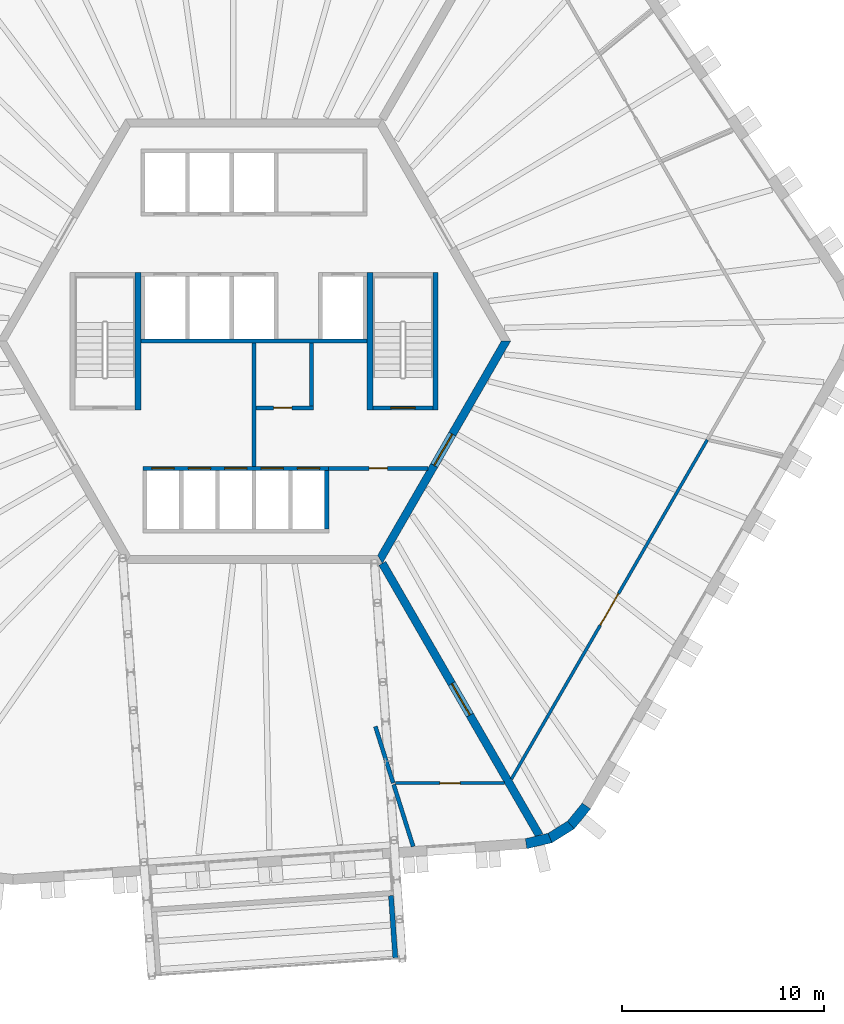
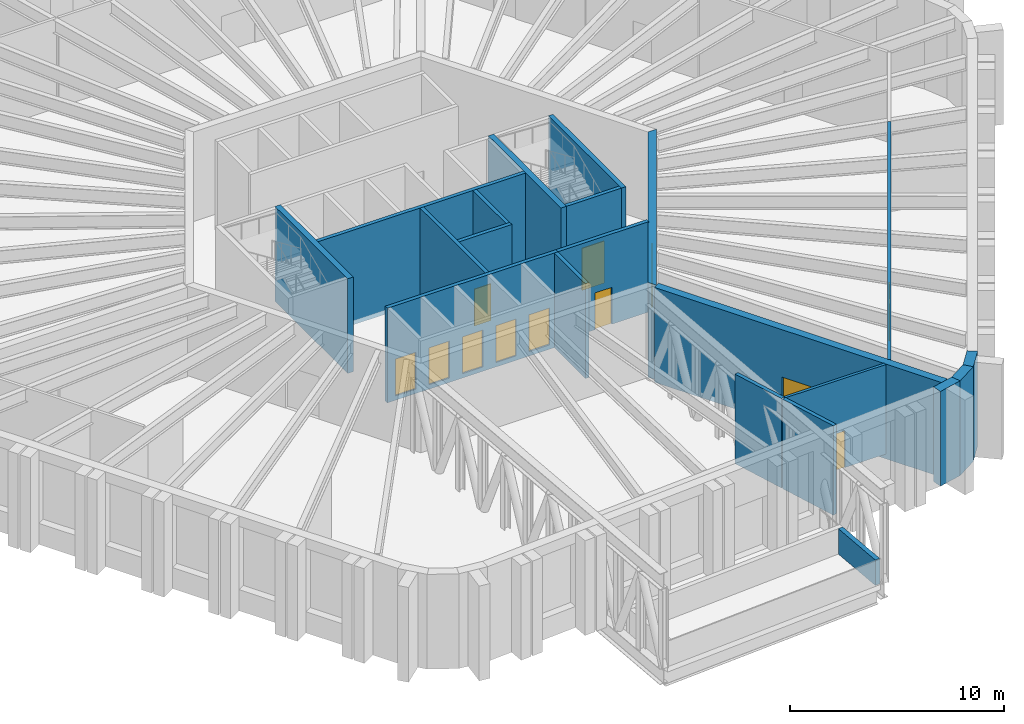
# One storey, part 4 of 9: 21 walls, 12 doors, 12 openings.
"""IFC4 building model written with IfcOpenShell, lengths in metres."""

from ifc_helpers import new_model, si_unit, direction, frame, frame_2d, origin, place, context, subcontext, project, spatial, polyline, rectangle, outline, extrude, material, layer, layer_set, type_object, element, fill, save


model = new_model("IFC4")

# Units and contexts
model_context = context("Model", 3, precision=1e-05, world=origin(), true_north=direction((0.0, 1.0)))
body_context = subcontext(model_context, "Body", "Model", "MODEL_VIEW")
ifc_project = project(units=[si_unit("LENGTHUNIT", "METRE"), si_unit("AREAUNIT", "SQUARE_METRE"), si_unit("VOLUMEUNIT", "CUBIC_METRE"), si_unit("PLANEANGLEUNIT", "RADIAN"), si_unit("MASSUNIT", "GRAM", prefix="KILO")], contexts=[model_context])

# Site, building, storey
site_placement = place(None, origin())
site = spatial("IfcSite", under=ifc_project, at=site_placement, CompositionType="ELEMENT")
building_placement = place(site_placement, origin())
building = spatial("IfcBuilding", under=site, at=building_placement, Name="Tarnside Tower", CompositionType="ELEMENT")
storey_placement = place(building_placement, frame((0.0, 0.0, 338.10009765625)))
storey = spatial("IfcBuildingStorey", under=building, at=storey_placement, Name="L82", CompositionType="ELEMENT", Elevation=338.10009765625)

# Wall, opening, door
ifc_material_1 = material(Name="Concrete C40/50", Category="concrete")
ifc_layer_1 = layer(ifc_material_1, 0.199951171875)
ifc_layer_set_1 = layer_set([ifc_layer_1], Name="Core room partition 200 C40/50")
wall_type_1 = type_object("IfcWallType", Name="Core room partition 200 C40/50", PredefinedType="PARTITIONING", material=ifc_layer_set_1)
wall_1_placement = place(storey_placement, frame((0.10009765625, -3.300048828125, 0.0), z_axis=(0.0, 0.0, 1.0), x_axis=(1.0, 0.0, 0.0)))
wall_1 = element("IfcWall", 1, at=wall_1_placement, inside=storey, type_object=wall_type_1, Name="L82 core partition R3S1", PredefinedType="PARTITIONING", context=body_context, shape_type="SweptSolid", body=[
    extrude(rectangle(XDim=2.849853515625, YDim=0.199951171875, at=frame_2d((1.4248046875, 0.0))), origin(), (0.0, 0.0, 1.0), 5.14990234375),
])
opening_1_placement = place(wall_1_placement, frame((0.875, 0.0, 0.0)))
opening_1 = element("IfcOpeningElement", 2, at=opening_1_placement, cuts=wall_1, Name="Opening CD-room", PredefinedType="OPENING", context=body_context, shape_type="SweptSolid", body=[
    extrude(rectangle(XDim=0.89990234375, YDim=2.10009765625, at=frame_2d((0.449951171875, 1.050048828125))), frame((0.0, 0.10986328125, 0.0), z_axis=(0.0, -1.0, 0.0), x_axis=(1.0, 0.0, 0.0)), (0.0, 0.0, 1.0), 0.219970703125),
])
ifc_material_2 = material(Name="Steel fire door", Category="steel")
door_type_1 = type_object("IfcDoorType", Name="Room door FD60 900x2100", OperationType="NOTDEFINED", PredefinedType="DOOR", material=ifc_material_2)
door_1_placement = place(opening_1_placement, origin())
door_1 = element("IfcDoor", 3, at=door_1_placement, inside=storey, type_object=door_type_1, Name="L82 core room door SR1", OperationType="SINGLE_SWING_LEFT", OverallHeight=2.10009765625, OverallWidth=0.89990234375, PredefinedType="DOOR", context=body_context, shape_type="SweptSolid", body=[
    extrude(rectangle(XDim=0.89990234375, YDim=2.10009765625, at=frame_2d((0.449951171875, 1.050048828125))), frame((0.0, 0.02490234375, 0.0), z_axis=(0.0, -1.0, 0.0), x_axis=(1.0, 0.0, 0.0)), (0.0, 0.0, 1.0), 0.050048828125),
])
fill(opening_1, door_1)

# Walls
wall_2_placement = place(storey_placement, frame((2.85009765625, -3.199951171875, 0.0), z_axis=(0.0, 0.0, 1.0), x_axis=(0.0, 1.0, 0.0)))
element("IfcWall", 4, at=wall_2_placement, inside=storey, type_object=wall_type_1, Name="L82 core partition R3P1b", PredefinedType="PARTITIONING", context=body_context, shape_type="SweptSolid", body=[
    extrude(rectangle(XDim=3.099853515625, YDim=0.199951171875, at=frame_2d((1.5498046875, 0.0))), origin(), (0.0, 0.0, 1.0), 5.14990234375),
])
wall_3_placement = place(storey_placement, frame((0.0, -6.199951171875, 0.0), z_axis=(0.0, 0.0, 1.0), x_axis=(0.0, 1.0, 0.0)))
element("IfcWall", 5, at=wall_3_placement, inside=storey, type_object=wall_type_1, Name="L82 core partition X0", PredefinedType="PARTITIONING", context=body_context, shape_type="SweptSolid", body=[
    extrude(rectangle(XDim=6.099853515625, YDim=0.199951171875, at=frame_2d((3.0498046875, 0.0))), origin(), (0.0, 0.0, 1.0), 5.14990234375),
])

# Wall, opening, door
wall_4_placement = place(storey_placement, frame((3.699951171875, -6.300048828125, 0.0), z_axis=(0.0, 0.0, 1.0), x_axis=(1.0, 0.0, 0.0)))
wall_4 = element("IfcWall", 6, at=wall_4_placement, inside=storey, type_object=wall_type_1, Name="L82 core partition R4X", PredefinedType="PARTITIONING", context=body_context, shape_type="SweptSolid", body=[
    extrude(rectangle(XDim=4.902587890625, YDim=0.199951171875, at=frame_2d((2.451171875, 0.0))), origin(), (0.0, 0.0, 1.0), 5.14990234375),
])
opening_2_placement = place(wall_4_placement, frame((2.001220703125, 0.0, 0.0)))
opening_2 = element("IfcOpeningElement", 7, at=opening_2_placement, cuts=wall_4, Name="Opening CD-room", PredefinedType="OPENING", context=body_context, shape_type="SweptSolid", body=[
    extrude(rectangle(XDim=0.89990234375, YDim=2.10009765625, at=frame_2d((0.449951171875, 1.050048828125))), frame((0.0, 0.10986328125, 0.0), z_axis=(0.0, -1.0, 0.0), x_axis=(1.0, 0.0, 0.0)), (0.0, 0.0, 1.0), 0.219970703125),
])
door_2_placement = place(opening_2_placement, origin())
door_2 = element("IfcDoor", 8, at=door_2_placement, inside=storey, type_object=door_type_1, Name="L82 core room door RX", OperationType="SINGLE_SWING_LEFT", OverallHeight=2.10009765625, OverallWidth=0.89990234375, PredefinedType="DOOR", context=body_context, shape_type="SweptSolid", body=[
    extrude(rectangle(XDim=0.89990234375, YDim=2.10009765625, at=frame_2d((0.449951171875, 1.050048828125))), frame((0.0, 0.02490234375, 0.0), z_axis=(0.0, -1.0, 0.0), x_axis=(1.0, 0.0, 0.0)), (0.0, 0.0, 1.0), 0.050048828125),
])
fill(opening_2, door_2)

ifc_material_3 = material(Name="Concrete C60/75", Category="concrete")
ifc_layer_2 = layer(ifc_material_3, 0.39990234375)
ifc_layer_set_2 = layer_set([ifc_layer_2], Name="Core wall Z3 400 C60/75")
wall_type_2 = type_object("IfcWallType", Name="Core wall Z3 400 C60/75", PredefinedType="SHEAR", material=ifc_layer_set_2)
wall_5_placement = place(storey_placement, frame((6.2353515625, -10.800048828125, -0.300048828125), z_axis=(0.0, 0.0, 1.0), x_axis=(0.499996419489, 0.866027470984, 0.0)))
wall_5 = element("IfcWall", 9, at=wall_5_placement, inside=storey, type_object=wall_type_2, Name="L82 core wall face 5", PredefinedType="SHEAR", context=body_context, shape_type="SweptSolid", body=[
    extrude(outline(polyline([(-0.115478515625, -0.199951171875), (12.586181640625, -0.199951171875), (12.355224609375, 0.199951171875), (0.115478515625, 0.199951171875), (-0.115478515625, -0.199951171875)])), origin(), (0.0, 0.0, 1.0), 5.39990234375),
])
opening_3_placement = place(wall_5_placement, frame((5.3642578125, 0.0, 0.300048828125)))
opening_3 = element("IfcOpeningElement", 10, at=opening_3_placement, cuts=wall_5, Name="Opening CD-FFL", PredefinedType="OPENING", context=body_context, shape_type="SweptSolid", body=[
    extrude(rectangle(XDim=1.800048828125, YDim=2.39990234375, at=frame_2d((0.89990234375, 1.199951171875))), frame((0.0, 0.2099609375, 0.0), z_axis=(0.0, -1.0, 0.0), x_axis=(1.0, 0.0, 0.0)), (0.0, 0.0, 1.0), 0.419921875),
])
door_type_2 = type_object("IfcDoorType", Name="Firefighting lobby double door FD60S 1800x2400", OperationType="NOTDEFINED", PredefinedType="DOOR", material=ifc_material_2)
door_3_placement = place(opening_3_placement, origin())
door_3 = element("IfcDoor", 11, at=door_3_placement, inside=storey, type_object=door_type_2, Name="L82 core door P4", OperationType="DOUBLE_DOOR_SINGLE_SWING", OverallHeight=2.39990234375, OverallWidth=1.800048828125, PredefinedType="DOOR", context=body_context, shape_type="SweptSolid", body=[
    extrude(rectangle(XDim=1.800048828125, YDim=2.39990234375, at=frame_2d((0.89990234375, 1.199951171875))), frame((0.0, 0.02490234375, 0.0), z_axis=(0.0, -1.0, 0.0), x_axis=(1.0, 0.0, 0.0)), (0.0, 0.0, 1.0), 0.050048828125),
])
fill(opening_3, door_3)

wall_6_placement = place(storey_placement, frame((6.350830078125, -11.0, -0.300048828125), z_axis=(0.0, 0.0, 1.0), x_axis=(0.499998894578, -0.866026041999, 0.0)))
wall_6 = element("IfcWall", 12, at=wall_6_placement, inside=storey, type_object=wall_type_2, Name="L82 spine wall 3", PredefinedType="SHEAR", context=body_context, shape_type="SweptSolid", body=[
    extrude(rectangle(XDim=15.54443359375, YDim=0.39990234375, at=frame_2d((7.772216796875, 0.0))), origin(), (0.0, 0.0, 1.0), 5.39990234375),
])
opening_4_placement = place(wall_6_placement, frame((6.872314453125, 0.0, 0.300048828125)))
opening_4 = element("IfcOpeningElement", 13, at=opening_4_placement, cuts=wall_6, Name="Opening CD-SPN", PredefinedType="OPENING", context=body_context, shape_type="SweptSolid", body=[
    extrude(rectangle(XDim=1.800048828125, YDim=2.39990234375, at=frame_2d((0.89990234375, 1.199951171875))), frame((0.0, 0.2099609375, 0.0), z_axis=(0.0, -1.0, 0.0), x_axis=(1.0, 0.0, 0.0)), (0.0, 0.0, 1.0), 0.419921875),
])
door_type_3 = type_object("IfcDoorType", Name="Spine passage double door FD60 1800x2400", OperationType="NOTDEFINED", PredefinedType="DOOR", material=ifc_material_2)
door_4_placement = place(opening_4_placement, origin())
door_4 = element("IfcDoor", 14, at=door_4_placement, inside=storey, type_object=door_type_3, Name="L82 spine passage door 3", OperationType="DOUBLE_DOOR_SINGLE_SWING", OverallHeight=2.39990234375, OverallWidth=1.800048828125, PredefinedType="DOOR", context=body_context, shape_type="SweptSolid", body=[
    extrude(rectangle(XDim=1.800048828125, YDim=2.39990234375, at=frame_2d((0.89990234375, 1.199951171875))), frame((0.0, 0.02490234375, 0.0), z_axis=(0.0, -1.0, 0.0), x_axis=(1.0, 0.0, 0.0)), (0.0, 0.0, 1.0), 0.050048828125),
])
fill(opening_4, door_4)

# Wall
ifc_layer_3 = layer(ifc_material_1, 0.199951171875)
ifc_layer_set_3 = layer_set([ifc_layer_3], Name="Lift shaft wall 200 C40/50")
wall_type_3 = type_object("IfcWallType", Name="Lift shaft wall 200 C40/50", PredefinedType="SHEAR", material=ifc_layer_set_3)
wall_7_placement = place(storey_placement, frame((-5.60009765625, 0.0, -0.25), z_axis=(0.0, 0.0, 1.0), x_axis=(1.0, 0.0, 0.0)))
element("IfcWall", 15, at=wall_7_placement, inside=storey, type_object=wall_type_3, Name="L82 lift shaft back wall R2", PredefinedType="SHEAR", context=body_context, shape_type="SweptSolid", body=[
    extrude(rectangle(XDim=11.2001953125, YDim=0.199951171875, at=frame_2d((5.60009765625, 0.0))), origin(), (0.0, 0.0, 1.0), 5.39990234375),
])

# Wall, openings, doors
wall_8_placement = place(storey_placement, frame((-5.5, -6.300048828125, -0.25), z_axis=(0.0, 0.0, 1.0), x_axis=(1.0, 0.0, 0.0)))
wall_8 = element("IfcWall", 16, at=wall_8_placement, inside=storey, type_object=wall_type_3, Name="L82 lift shaft front wall R4", PredefinedType="SHEAR", context=body_context, shape_type="SweptSolid", body=[
    extrude(rectangle(XDim=9.199951171875, YDim=0.199951171875, at=frame_2d((4.60009765625, 0.0))), origin(), (0.0, 0.0, 1.0), 5.39990234375),
])
opening_5_placement = place(wall_8_placement, frame((0.449951171875, 0.0, 0.25)))
opening_5 = element("IfcOpeningElement", 17, at=opening_5_placement, cuts=wall_8, Name="Opening LDF", PredefinedType="OPENING", context=body_context, shape_type="SweptSolid", body=[
    extrude(rectangle(XDim=1.10009765625, YDim=2.10009765625, at=frame_2d((0.550048828125, 1.050048828125))), frame((0.0, 0.10986328125, 0.0), z_axis=(0.0, -1.0, 0.0), x_axis=(1.0, 0.0, 0.0)), (0.0, 0.0, 1.0), 0.219970703125),
])
opening_6_placement = place(wall_8_placement, frame((2.25, 0.0, 0.25)))
opening_6 = element("IfcOpeningElement", 18, at=opening_6_placement, cuts=wall_8, Name="Opening LDF", PredefinedType="OPENING", context=body_context, shape_type="SweptSolid", body=[
    extrude(rectangle(XDim=1.10009765625, YDim=2.10009765625, at=frame_2d((0.550048828125, 1.050048828125))), frame((0.0, 0.10986328125, 0.0), z_axis=(0.0, -1.0, 0.0), x_axis=(1.0, 0.0, 0.0)), (0.0, 0.0, 1.0), 0.219970703125),
])
opening_7_placement = place(wall_8_placement, frame((4.050048828125, 0.0, 0.25)))
opening_7 = element("IfcOpeningElement", 19, at=opening_7_placement, cuts=wall_8, Name="Opening LDF", PredefinedType="OPENING", context=body_context, shape_type="SweptSolid", body=[
    extrude(rectangle(XDim=1.10009765625, YDim=2.10009765625, at=frame_2d((0.550048828125, 1.050048828125))), frame((0.0, 0.10986328125, 0.0), z_axis=(0.0, -1.0, 0.0), x_axis=(1.0, 0.0, 0.0)), (0.0, 0.0, 1.0), 0.219970703125),
])
opening_8_placement = place(wall_8_placement, frame((5.85009765625, 0.0, 0.25)))
opening_8 = element("IfcOpeningElement", 20, at=opening_8_placement, cuts=wall_8, Name="Opening LDF", PredefinedType="OPENING", context=body_context, shape_type="SweptSolid", body=[
    extrude(rectangle(XDim=1.10009765625, YDim=2.10009765625, at=frame_2d((0.550048828125, 1.050048828125))), frame((0.0, 0.10986328125, 0.0), z_axis=(0.0, -1.0, 0.0), x_axis=(1.0, 0.0, 0.0)), (0.0, 0.0, 1.0), 0.219970703125),
])
opening_9_placement = place(wall_8_placement, frame((7.64990234375, 0.0, 0.25)))
opening_9 = element("IfcOpeningElement", 21, at=opening_9_placement, cuts=wall_8, Name="Opening LDF", PredefinedType="OPENING", context=body_context, shape_type="SweptSolid", body=[
    extrude(rectangle(XDim=1.10009765625, YDim=2.10009765625, at=frame_2d((0.550048828125, 1.050048828125))), frame((0.0, 0.10986328125, 0.0), z_axis=(0.0, -1.0, 0.0), x_axis=(1.0, 0.0, 0.0)), (0.0, 0.0, 1.0), 0.219970703125),
])
ifc_material_4 = material(Name="Stainless steel", Category="steel")
door_type_4 = type_object("IfcDoorType", Name="Lift landing door 1100x2100 EI 120", OperationType="NOTDEFINED", PredefinedType="DOOR", material=ifc_material_4)
door_5_placement = place(opening_5_placement, origin())
door_5 = element("IfcDoor", 22, at=door_5_placement, inside=storey, type_object=door_type_4, Name="Firefighting lift 1 landing door L82", OperationType="SLIDING_TO_LEFT", OverallHeight=2.10009765625, OverallWidth=1.10009765625, PredefinedType="DOOR", context=body_context, shape_type="SweptSolid", body=[
    extrude(rectangle(XDim=1.10009765625, YDim=2.10009765625, at=frame_2d((0.550048828125, 1.050048828125))), frame((0.0, 0.02490234375, 0.0), z_axis=(0.0, -1.0, 0.0), x_axis=(1.0, 0.0, 0.0)), (0.0, 0.0, 1.0), 0.050048828125),
])
fill(opening_5, door_5)
door_6_placement = place(opening_6_placement, origin())
door_6 = element("IfcDoor", 23, at=door_6_placement, inside=storey, type_object=door_type_4, Name="Firefighting lift 2 landing door L82", OperationType="SLIDING_TO_LEFT", OverallHeight=2.10009765625, OverallWidth=1.10009765625, PredefinedType="DOOR", context=body_context, shape_type="SweptSolid", body=[
    extrude(rectangle(XDim=1.10009765625, YDim=2.10009765625, at=frame_2d((0.550048828125, 1.050048828125))), frame((0.0, 0.02490234375, 0.0), z_axis=(0.0, -1.0, 0.0), x_axis=(1.0, 0.0, 0.0)), (0.0, 0.0, 1.0), 0.050048828125),
])
fill(opening_6, door_6)
door_7_placement = place(opening_7_placement, origin())
door_7 = element("IfcDoor", 24, at=door_7_placement, inside=storey, type_object=door_type_4, Name="Firefighting lift 3 landing door L82", OperationType="SLIDING_TO_LEFT", OverallHeight=2.10009765625, OverallWidth=1.10009765625, PredefinedType="DOOR", context=body_context, shape_type="SweptSolid", body=[
    extrude(rectangle(XDim=1.10009765625, YDim=2.10009765625, at=frame_2d((0.550048828125, 1.050048828125))), frame((0.0, 0.02490234375, 0.0), z_axis=(0.0, -1.0, 0.0), x_axis=(1.0, 0.0, 0.0)), (0.0, 0.0, 1.0), 0.050048828125),
])
fill(opening_7, door_7)
door_8_placement = place(opening_8_placement, origin())
door_8 = element("IfcDoor", 25, at=door_8_placement, inside=storey, type_object=door_type_4, Name="Firefighting lift 4 landing door L82", OperationType="SLIDING_TO_LEFT", OverallHeight=2.10009765625, OverallWidth=1.10009765625, PredefinedType="DOOR", context=body_context, shape_type="SweptSolid", body=[
    extrude(rectangle(XDim=1.10009765625, YDim=2.10009765625, at=frame_2d((0.550048828125, 1.050048828125))), frame((0.0, 0.02490234375, 0.0), z_axis=(0.0, -1.0, 0.0), x_axis=(1.0, 0.0, 0.0)), (0.0, 0.0, 1.0), 0.050048828125),
])
fill(opening_8, door_8)
door_9_placement = place(opening_9_placement, origin())
door_9 = element("IfcDoor", 26, at=door_9_placement, inside=storey, type_object=door_type_4, Name="Firefighting lift 5 landing door L82", OperationType="SLIDING_TO_LEFT", OverallHeight=2.10009765625, OverallWidth=1.10009765625, PredefinedType="DOOR", context=body_context, shape_type="SweptSolid", body=[
    extrude(rectangle(XDim=1.10009765625, YDim=2.10009765625, at=frame_2d((0.550048828125, 1.050048828125))), frame((0.0, 0.02490234375, 0.0), z_axis=(0.0, -1.0, 0.0), x_axis=(1.0, 0.0, 0.0)), (0.0, 0.0, 1.0), 0.050048828125),
])
fill(opening_9, door_9)

# Wall
wall_9_placement = place(storey_placement, frame((3.60009765625, -9.300048828125, -0.25), z_axis=(0.0, 0.0, 1.0), x_axis=(0.0, 1.0, 0.0)))
element("IfcWall", 27, at=wall_9_placement, inside=storey, type_object=wall_type_3, Name="L82 lift shaft partition R46", PredefinedType="SHEAR", context=body_context, shape_type="SweptSolid", body=[
    extrude(rectangle(XDim=2.900146484375, YDim=0.199951171875, at=frame_2d((1.4501953125, 0.0))), origin(), (0.0, 0.0, 1.0), 5.39990234375),
])

# Wall, opening, door
wall_10_placement = place(storey_placement, frame((5.89990234375, -3.300048828125, -0.25), z_axis=(0.0, 0.0, 1.0), x_axis=(1.0, 0.0, 0.0)))
wall_10 = element("IfcWall", 28, at=wall_10_placement, inside=storey, type_object=wall_type_3, Name="L82 stair 1 enclosure cap wall s", PredefinedType="SHEAR", context=body_context, shape_type="SweptSolid", body=[
    extrude(rectangle(XDim=2.9501953125, YDim=0.199951171875, at=frame_2d((1.47509765625, 0.0))), origin(), (0.0, 0.0, 1.0), 5.39990234375),
])
opening_10_placement = place(wall_10_placement, frame((0.875, 0.0, 0.25)))
opening_10 = element("IfcOpeningElement", 29, at=opening_10_placement, cuts=wall_10, Name="Opening CD-STR", PredefinedType="OPENING", context=body_context, shape_type="SweptSolid", body=[
    extrude(rectangle(XDim=1.199951171875, YDim=2.39990234375, at=frame_2d((0.60009765625, 1.199951171875))), frame((0.0, 0.10986328125, 0.0), z_axis=(0.0, -1.0, 0.0), x_axis=(1.0, 0.0, 0.0)), (0.0, 0.0, 1.0), 0.219970703125),
])
door_type_5 = type_object("IfcDoorType", Name="Stair door FD60S 1200x2400", OperationType="NOTDEFINED", PredefinedType="DOOR", material=ifc_material_2)
door_10_placement = place(opening_10_placement, origin())
door_10 = element("IfcDoor", 30, at=door_10_placement, inside=storey, type_object=door_type_5, Name="L82 stair 1 door", OperationType="SINGLE_SWING_LEFT", OverallHeight=2.39990234375, OverallWidth=1.199951171875, PredefinedType="DOOR", context=body_context, shape_type="SweptSolid", body=[
    extrude(rectangle(XDim=1.199951171875, YDim=2.39990234375, at=frame_2d((0.60009765625, 1.199951171875))), frame((0.0, 0.02490234375, 0.0), z_axis=(0.0, -1.0, 0.0), x_axis=(1.0, 0.0, 0.0)), (0.0, 0.0, 1.0), 0.050048828125),
])
fill(opening_10, door_10)

ifc_material_5 = material(Name="Gypsum board")
ifc_layer_4 = layer(ifc_material_5, 0.14990234375)
ifc_layer_set_4 = layer_set([ifc_layer_4], Name="Partition 150 gypsum board on metal stud")
wall_type_4 = type_object("IfcWallType", Name="Partition 150 gypsum board on metal stud", PredefinedType="PARTITIONING", material=ifc_layer_set_4)
wall_11_placement = place(storey_placement, frame((12.39599609375, -21.8701171875, 0.0), z_axis=(0.0, 0.0, 1.0), x_axis=(-1.0, 0.0, 0.0)))
wall_11 = element("IfcWall", 31, at=wall_11_placement, inside=storey, type_object=wall_type_4, Name="Partition 016", PredefinedType="PARTITIONING", context=body_context, shape_type="SweptSolid", body=[
    extrude(rectangle(XDim=5.401123046875, YDim=0.14990234375, at=frame_2d((2.70068359375, 0.0))), origin(), (0.0, 0.0, 1.0), 5.099853515625),
])
opening_11_placement = place(wall_11_placement, frame((2.20068359375, 0.0, 0.0)))
opening_11 = element("IfcOpeningElement", 32, at=opening_11_placement, cuts=wall_11, Name="Opening D1000", PredefinedType="OPENING", context=body_context, shape_type="SweptSolid", body=[
    extrude(rectangle(XDim=1.0, YDim=2.10009765625, at=frame_2d((0.5, 1.050048828125))), frame((0.0, 0.0849609375, 0.0), z_axis=(0.0, -1.0, 0.0), x_axis=(1.0, 0.0, 0.0)), (0.0, 0.0, 1.0), 0.169921875),
])
ifc_material_6 = material(Name="Timber door leaf", Category="wood")
door_type_6 = type_object("IfcDoorType", Name="Door 1000 x 2100 single leaf", OperationType="NOTDEFINED", PredefinedType="DOOR", material=ifc_material_6)
door_11_placement = place(opening_11_placement, origin())
door_11 = element("IfcDoor", 33, at=door_11_placement, inside=storey, type_object=door_type_6, Name="Door L82-07", OperationType="SINGLE_SWING_RIGHT", OverallHeight=2.10009765625, OverallWidth=1.0, PredefinedType="DOOR", context=body_context, shape_type="SweptSolid", body=[
    extrude(rectangle(XDim=1.0, YDim=2.10009765625, at=frame_2d((0.5, 1.050048828125))), frame((0.0, 0.02490234375, 0.0), z_axis=(0.0, -1.0, 0.0), x_axis=(1.0, 0.0, 0.0)), (0.0, 0.0, 1.0), 0.050048828125),
])
fill(opening_11, door_11)

wall_12_placement = place(storey_placement, frame((22.43310546875, -4.885009765625, 0.0), z_axis=(0.0, 0.0, 1.0), x_axis=(-0.500015036681, -0.866016722178, 0.0)))
wall_12 = element("IfcWall", 34, at=wall_12_placement, inside=storey, type_object=wall_type_4, Name="Partition 019", PredefinedType="PARTITIONING", context=body_context, shape_type="SweptSolid", body=[
    extrude(rectangle(XDim=19.3818359375, YDim=0.14990234375, at=frame_2d((9.69091796875, 0.0))), origin(), (0.0, 0.0, 1.0), 5.099853515625),
])
opening_12_placement = place(wall_12_placement, frame((8.790771484375, 0.0, 0.0)))
opening_12 = element("IfcOpeningElement", 35, at=opening_12_placement, cuts=wall_12, Name="Opening D1800F30", PredefinedType="OPENING", context=body_context, shape_type="SweptSolid", body=[
    extrude(rectangle(XDim=1.800048828125, YDim=2.10009765625, at=frame_2d((0.89990234375, 1.050048828125))), frame((0.0, 0.0849609375, 0.0), z_axis=(0.0, -1.0, 0.0), x_axis=(1.0, 0.0, 0.0)), (0.0, 0.0, 1.0), 0.169921875),
])
door_type_7 = type_object("IfcDoorType", Name="Door pair 1800 x 2100 FD30S fire door", OperationType="NOTDEFINED", PredefinedType="DOOR", material=ifc_material_6)
door_12_placement = place(opening_12_placement, origin())
door_12 = element("IfcDoor", 36, at=door_12_placement, inside=storey, type_object=door_type_7, Name="Door L82-09", OperationType="DOUBLE_DOOR_SINGLE_SWING", OverallHeight=2.10009765625, OverallWidth=1.800048828125, PredefinedType="DOOR", context=body_context, shape_type="SweptSolid", body=[
    extrude(rectangle(XDim=1.800048828125, YDim=2.10009765625, at=frame_2d((0.89990234375, 1.050048828125))), frame((0.0, 0.02490234375, 0.0), z_axis=(0.0, -1.0, 0.0), x_axis=(1.0, 0.0, 0.0)), (0.0, 0.0, 1.0), 0.050048828125),
])
fill(opening_12, door_12)

# Walls
ifc_material_7 = material(Name="Concrete C50/60", Category="concrete")
ifc_layer_5 = layer(ifc_material_7, 0.25)
ifc_layer_set_5 = layer_set([ifc_layer_5], Name="Pool basin wall 250")
wall_type_5 = type_object("IfcWallType", Name="Pool basin wall 250", PredefinedType="SOLIDWALL", material=ifc_layer_set_5)
wall_13_placement = place(storey_placement, frame((6.78125, -27.44384765625, -0.35009765625), z_axis=(0.0, 0.0, 1.0), x_axis=(0.069686031576, -0.997568973557, 0.0)))
element("IfcWall", 37, at=wall_13_placement, inside=storey, type_object=wall_type_5, Name="Sky pool side wall b", PredefinedType="SOLIDWALL", context=body_context, shape_type="SweptSolid", body=[
    extrude(rectangle(XDim=3.090087890625, YDim=0.25, at=frame_2d((1.544921875, 0.0))), origin(), (0.0, 0.0, 1.0), 1.449951171875),
])
ifc_layer_6 = layer(ifc_material_1, 0.25)
ifc_layer_set_6 = layer_set([ifc_layer_6], Name="Stair enclosure wall 250 C40/50")
wall_type_6 = type_object("IfcWallType", Name="Stair enclosure wall 250 C40/50", PredefinedType="SHEAR", material=ifc_layer_set_6)
wall_14_placement = place(storey_placement, frame((8.97509765625, -3.39990234375, -0.25), z_axis=(0.0, 0.0, 1.0), x_axis=(0.0, 1.0, 0.0)))
element("IfcWall", 38, at=wall_14_placement, inside=storey, type_object=wall_type_6, Name="L82 stair 1 enclosure wall outer", PredefinedType="SHEAR", context=body_context, shape_type="SweptSolid", body=[
    extrude(rectangle(XDim=6.7998046875, YDim=0.25, at=frame_2d((3.39990234375, 0.0))), origin(), (0.0, 0.0, 1.0), 5.39990234375),
])
ifc_layer_7 = layer(ifc_material_1, 0.300048828125)
ifc_layer_set_7 = layer_set([ifc_layer_7], Name="Stair enclosure wall 300 C40/50")
wall_type_7 = type_object("IfcWallType", Name="Stair enclosure wall 300 C40/50", PredefinedType="SHEAR", material=ifc_layer_set_7)
for number, where, z_axis, x_axis, name in (
    (39, (5.75, -3.39990234375, -0.25), (0.0, 0.0, 1.0), (0.0, 1.0, 0.0), "L82 stair 1 enclosure wall inner"),
    (40, (-5.75, -3.39990234375, -0.25), (0.0, 0.0, 1.0), (0.0, 1.0, 0.0), "L82 stair 2 enclosure wall inner"),
):
    element("IfcWall", number, at=place(storey_placement, frame(where, z_axis=z_axis, x_axis=x_axis)), inside=storey, type_object=wall_type_7, Name=name, PredefinedType="SHEAR", context=body_context, shape_type="SweptSolid", body=[
        extrude(rectangle(XDim=6.7998046875, YDim=0.300048828125, at=frame_2d((3.39990234375, 0.0))), origin(), (0.0, 0.0, 1.0), 5.39990234375),
    ])
ifc_material_8 = material(Name="Facing brick", Category="masonry")
ifc_layer_8 = layer(ifc_material_8, 0.10205078125)
ifc_material_9 = material(Name="Concrete C60/75 precast", Category="concrete")
ifc_layer_9 = layer(ifc_material_9, 0.298095703125)
ifc_material_10 = material(Name="Mineral wool insulation")
ifc_layer_10 = layer(ifc_material_10, 0.10009765625)
ifc_layer_set_8 = layer_set([ifc_layer_8, ifc_layer_9, ifc_layer_10], Name="Tube wall 500 brick faced")
wall_type_8 = type_object("IfcWallType", Name="Tube wall 500 brick faced", PredefinedType="SOLIDWALL", material=ifc_layer_set_8)
wall_15_placement = place(storey_placement, frame((13.46533203125, -24.871337890625, -0.300048828125), z_axis=(0.0, 0.0, 1.0), x_axis=(0.973044740285, 0.230616420501, 0.0)))
element("IfcWall", 41, at=wall_15_placement, inside=storey, type_object=wall_type_8, Name="Tube wall L82 F4 chord 13", PredefinedType="SOLIDWALL", context=body_context, shape_type="SweptSolid", body=[
    extrude(outline(polyline([(-0.0205078125, -0.25), (1.25732421875, -0.25), (1.17529296875, 0.25), (0.0205078125, 0.25), (-0.0205078125, -0.25)])), origin(), (0.0, 0.0, 1.0), 5.39990234375),
])
wall_16_placement = place(storey_placement, frame((14.64892578125, -24.5908203125, -0.300048828125), z_axis=(0.0, 0.0, 1.0), x_axis=(0.848054682072, 0.529908724419, 0.0)))
element("IfcWall", 42, at=wall_16_placement, inside=storey, type_object=wall_type_8, Name="Tube wall L82 F4 chord 14", PredefinedType="SOLIDWALL", context=body_context, shape_type="SweptSolid", body=[
    extrude(outline(polyline([(-0.041015625, -0.25), (1.25732421875, -0.25), (1.17529296875, 0.25), (0.041015625, 0.25), (-0.041015625, -0.25)])), origin(), (0.0, 0.0, 1.0), 5.39990234375),
])
wall_17_placement = place(storey_placement, frame((15.680419921875, -23.9462890625, -0.300048828125), z_axis=(0.0, 0.0, 1.0), x_axis=(0.633805934167, 0.773492105852, 0.0)))
element("IfcWall", 43, at=wall_17_placement, inside=storey, type_object=wall_type_8, Name="Tube wall L82 F4 chord 15", PredefinedType="SOLIDWALL", context=body_context, shape_type="SweptSolid", body=[
    extrude(outline(polyline([(-0.041015625, -0.25), (1.237060546875, -0.25), (1.196044921875, 0.25), (0.041015625, 0.25), (-0.041015625, -0.25)])), origin(), (0.0, 0.0, 1.0), 5.39990234375),
])
ifc_material_11 = material(Name="Concrete C32/40", Category="concrete")
ifc_layer_11 = layer(ifc_material_11, 0.199951171875)
ifc_layer_set_9 = layer_set([ifc_layer_11], Name="Wall 200 reinforced Concrete C32/40")
wall_type_9 = type_object("IfcWallType", Name="Wall 200 reinforced Concrete C32/40", PredefinedType="PARTITIONING", material=ifc_layer_set_9)
wall_18_placement = place(storey_placement, frame((6.889892578125, -21.8701171875, 0.0), z_axis=(0.0, 0.0, 1.0), x_axis=(-0.300390964553, 0.953816160701, 0.0)))
element("IfcWall", 44, at=wall_18_placement, inside=storey, type_object=wall_type_9, Name="Partition 015", PredefinedType="PARTITIONING", context=body_context, shape_type="SweptSolid", body=[
    extrude(rectangle(XDim=2.935546875, YDim=0.199951171875, at=frame_2d((1.4677734375, 0.0))), origin(), (0.0, 0.0, 1.0), 5.099853515625),
])
wall_19_placement = place(storey_placement, frame((7.87890625, -25.010986328125, 0.0), z_axis=(0.0, 0.0, 1.0), x_axis=(-0.30032426699, 0.953837163596, 0.0)))
element("IfcWall", 45, at=wall_19_placement, inside=storey, type_object=wall_type_9, Name="Partition 017", PredefinedType="PARTITIONING", context=body_context, shape_type="SweptSolid", body=[
    extrude(rectangle(XDim=3.21435546875, YDim=0.199951171875, at=frame_2d((1.607177734375, 0.0))), origin(), (0.0, 0.0, 1.0), 5.099853515625),
])

save(model, "model.ifc")
